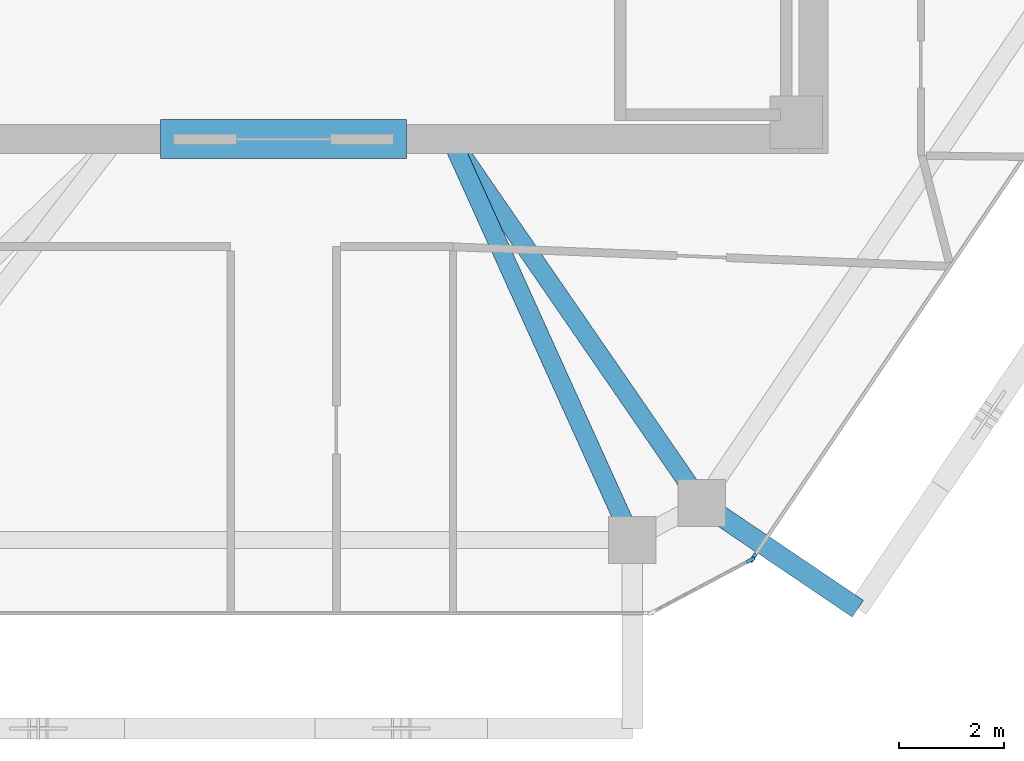
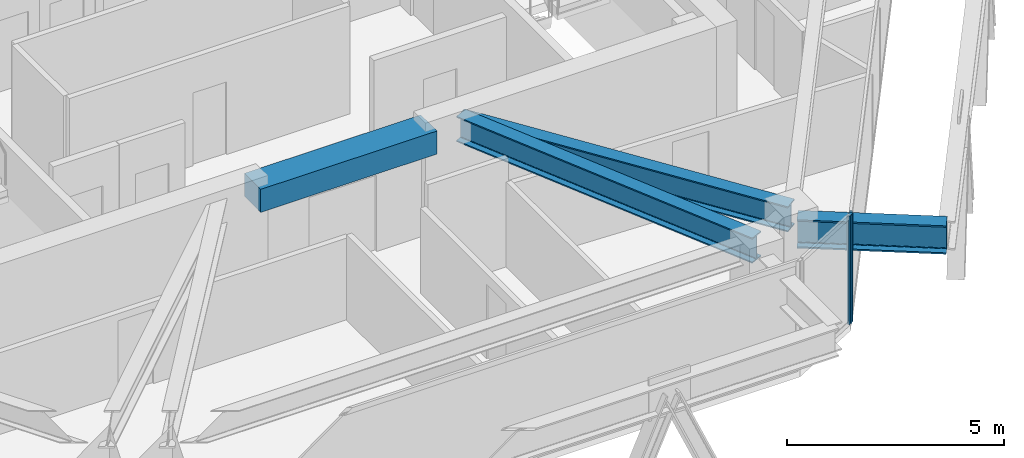
# One storey, part 3 of 12: 4 beams, 2 members, 2 elements without a shape of their own.
"""IFC4 building model written with IfcOpenShell, lengths in metres."""

from ifc_helpers import new_model, si_unit, direction, frame, origin, origin_2d, place, context, subcontext, project, spatial, rectangle, i_section, extrude, source, transform, mapped, material, layer, layer_set, material_profile, profile_set, type_object, type_shapes, element, aggregate, save


model = new_model("IFC4")

# Units and contexts
model_context = context("Model", 3, precision=1e-05, world=origin(), true_north=direction((0.0, 1.0)))
body_context = subcontext(model_context, "Body", "Model", "MODEL_VIEW")
ifc_project = project(units=[si_unit("LENGTHUNIT", "METRE"), si_unit("AREAUNIT", "SQUARE_METRE"), si_unit("VOLUMEUNIT", "CUBIC_METRE"), si_unit("PLANEANGLEUNIT", "RADIAN"), si_unit("MASSUNIT", "GRAM", prefix="KILO")], contexts=[model_context])

# Site, building, storey
site_placement = place(None, origin())
site = spatial("IfcSite", under=ifc_project, at=site_placement, CompositionType="ELEMENT")
building_placement = place(site_placement, origin())
building = spatial("IfcBuilding", under=site, at=building_placement, Name="Durnholm Broadcast Tower", CompositionType="ELEMENT")
storey_placement = place(building_placement, frame((0.0, 0.0, 221.60009765625)))
storey = spatial("IfcBuildingStorey", under=building, at=storey_placement, Name="L61", CompositionType="ELEMENT", Elevation=221.60009765625)

# Beams
ifc_material_1 = material(Name="Concrete C70/85", Category="concrete")
ifc_material_profile_1 = material_profile(ifc_material_1, rectangle(XDim=0.75, YDim=0.64990234375, at=origin_2d()), Name="RC750X650")
ifc_profile_set_1 = profile_set([ifc_material_profile_1], Name="Concrete C70/85")
beam_type_1 = type_object("IfcBeamType", Name="BM-CB-RC650", PredefinedType="LINTEL", material=ifc_profile_set_1)
shared_shape_1 = source(origin(), body_context, "Body", "SweptSolid", [
    extrude(rectangle(XDim=0.75, YDim=0.64990234375, at=origin_2d()), origin(), (0.0, 0.0, 1.0), 4.7001953125),
])
type_shapes(beam_type_1, [shared_shape_1])
beam_1_placement = place(storey_placement, frame((-2.35009765625, -8.125, 2.72998046875), z_axis=(1.0, 0.0, 0.0), x_axis=(0.0, 1.0, 0.0)))
element("IfcBeam", 1, at=beam_1_placement, inside=storey, type_object=beam_type_1, Name="L61 south core coupling lintel beam CB-S", PredefinedType="LINTEL", context=body_context, shape_type="MappedRepresentation", body=[
    mapped(shared_shape_1, transform((0.0, 0.0, 0.0), x_axis=(1.0, 0.0, 0.0), y_axis=(0.0, 1.0, 0.0), z_axis=(0.0, 0.0, 1.0), scale=1.0)),
])
ifc_material_2 = material(Name="Steel ASTM A992 Grade 50", Category="steel")
ifc_material_profile_2 = material_profile(ifc_material_2, i_section(OverallWidth=0.385009765625, OverallDepth=0.802978515625, WebThickness=0.023681640625, FlangeThickness=0.0419921875, FilletRadius=0.032958984375, at=origin_2d()), Name="W30X261")
ifc_profile_set_2 = profile_set([ifc_material_profile_2], Name="Steel ASTM A992 Grade 50")
beam_type_2 = type_object("IfcBeamType", Name="BM-EXO-TIE", PredefinedType="USERDEFINED", material=ifc_profile_set_2)
shared_shape_2 = source(origin(), body_context, "Body", "SweptSolid", [
    extrude(i_section(OverallWidth=0.385009765625, OverallDepth=0.802978515625, WebThickness=0.023681640625, FlangeThickness=0.0419921875, FilletRadius=0.032958984375, at=origin_2d()), origin(), (0.0, 0.0, 1.0), 3.4560546875),
])
type_shapes(beam_type_2, [shared_shape_2])
beam_2_placement = place(storey_placement, frame((8.110107421875, -15.161865234375, 2.308349609375), z_axis=(0.828468499792, -0.560035663911, 0.0), x_axis=(0.560035663911, 0.828468499792, 0.0)))
element("IfcBeam", 2, at=beam_2_placement, inside=storey, type_object=beam_type_2, Name="L61 exoskeleton stand-off tie bracket F2.1", ObjectType="GIRDER", PredefinedType="USERDEFINED", context=body_context, shape_type="MappedRepresentation", body=[
    mapped(shared_shape_2, transform((0.0, 0.0, 0.0), x_axis=(1.0, 0.0, 0.0), y_axis=(0.0, 1.0, 0.0), z_axis=(0.0, 0.0, 1.0), scale=1.0)),
])
ifc_material_profile_3 = material_profile(ifc_material_2, i_section(OverallWidth=0.3564453125, OverallDepth=0.713623046875, WebThickness=0.01904296875, FlangeThickness=0.033935546875, FilletRadius=0.030517578125, at=origin_2d()), Name="W27X194")
ifc_profile_set_3 = profile_set([ifc_material_profile_3], Name="Steel ASTM A992 Grade 50")
beam_type_3 = type_object("IfcBeamType", Name="STL-GR-W27X194", PredefinedType="USERDEFINED", material=ifc_profile_set_3)
shared_shape_3 = source(origin(), body_context, "Body", "SweptSolid", [
    extrude(i_section(OverallWidth=0.3564453125, OverallDepth=0.713623046875, WebThickness=0.01904296875, FlangeThickness=0.033935546875, FilletRadius=0.030517578125, at=origin_2d()), origin(), (0.0, 0.0, 1.0), 8.446533203125),
])
beam_3_placement = place(storey_placement, frame((3.199951171875, -8.125, 2.68798828125), z_axis=(0.567216806915, -0.823568511997, 0.0), x_axis=(0.823568511997, 0.567216806915, 0.0)))
element("IfcBeam", 3, at=beam_3_placement, inside=storey, type_object=beam_type_3, Name="L61 radial primary floor girder 10", ObjectType="GIRDER", PredefinedType="USERDEFINED", context=body_context, shape_type="MappedRepresentation", body=[
    mapped(shared_shape_3, transform((0.0, 0.0, 0.0), x_axis=(1.0, 0.0, 0.0), y_axis=(0.0, 1.0, 0.0), z_axis=(0.0, 0.0, 1.0), scale=1.0)),
])
shared_shape_4 = source(origin(), body_context, "Body", "SweptSolid", [
    extrude(i_section(OverallWidth=0.3564453125, OverallDepth=0.713623046875, WebThickness=0.01904296875, FlangeThickness=0.033935546875, FilletRadius=0.030517578125, at=origin_2d()), origin(), (0.0, 0.0, 1.0), 8.407470703125),
])
type_shapes(beam_type_3, [shared_shape_3, shared_shape_4])
beam_4_placement = place(storey_placement, frame((3.199951171875, -8.125, 2.68798828125), z_axis=(0.411992813642, -0.911187094678, 0.0), x_axis=(0.911187094678, 0.411992813642, 0.0)))
element("IfcBeam", 4, at=beam_4_placement, inside=storey, type_object=beam_type_3, Name="L61 radial primary floor girder 11", ObjectType="GIRDER", PredefinedType="USERDEFINED", context=body_context, shape_type="MappedRepresentation", body=[
    mapped(shared_shape_4, transform((0.0, 0.0, 0.0), x_axis=(1.0, 0.0, 0.0), y_axis=(0.0, 1.0, 0.0), z_axis=(0.0, 0.0, 1.0), scale=1.0)),
])

# Curtain wall, member
ifc_material_3 = material(Name="Aluminium and Solar Control IGU", Category="aluminium")
ifc_layer_1 = layer(ifc_material_3, 0.1650390625)
ifc_layer_set_1 = layer_set([ifc_layer_1], Name="Aluminium and Solar Control IGU")
curtain_wall_type_1 = type_object("IfcCurtainWallType", Name="CW-SYS-5", PredefinedType="NOTDEFINED", material=ifc_layer_set_1)
curtain_wall_1_placement = place(storey_placement, origin())
curtain_wall_1 = element("IfcCurtainWall", 5, at=curtain_wall_1_placement, inside=storey, type_object=curtain_wall_type_1, Name="L61 curtain wall CW-CORNER CW-L61-CRN-09", PredefinedType="NOTDEFINED")
ifc_material_4 = material(Name="Aluminium 6063-T6", Category="aluminium")
ifc_material_profile_4 = material_profile(ifc_material_4, rectangle(XDim=0.06494140625, YDim=0.1650390625, at=origin_2d()), Name="CWM65X165")
ifc_profile_set_4 = profile_set([ifc_material_profile_4], Name="Aluminium 6063-T6")
member_type_1 = type_object("IfcMemberType", Name="CW-SYS-5-MUL", PredefinedType="MULLION", material=ifc_profile_set_4)
shared_shape_5 = source(origin(), body_context, "Body", "SweptSolid", [
    extrude(rectangle(XDim=0.06494140625, YDim=0.1650390625, at=origin_2d()), origin(), (0.0, 0.0, 1.0), 3.059814453125),
])
type_shapes(member_type_1, [shared_shape_5])
member_1_placement = place(storey_placement, frame((8.9267578125, -16.16943359375, 0.0), z_axis=(0.0, 0.0, 1.0), x_axis=(0.469006771575, -0.883194569853, 0.0)))
member_1 = element("IfcMember", 6, at=member_1_placement, type_object=member_type_1, Name="CW-CORNER mullion 1", PredefinedType="MULLION", context=body_context, shape_type="MappedRepresentation", body=[
    mapped(shared_shape_5, transform((0.0, 0.0, 0.0), x_axis=(1.0, 0.0, 0.0), y_axis=(0.0, 1.0, 0.0), z_axis=(0.0, 0.0, 1.0), scale=1.0)),
])
aggregate(curtain_wall_1, [member_1])

ifc_layer_2 = layer(ifc_material_3, 0.18994140625)
ifc_layer_set_2 = layer_set([ifc_layer_2], Name="Aluminium and Solar Control IGU")
curtain_wall_type_2 = type_object("IfcCurtainWallType", Name="CW-SYS-4", PredefinedType="NOTDEFINED", material=ifc_layer_set_2)
curtain_wall_2_placement = place(storey_placement, origin())
curtain_wall_2 = element("IfcCurtainWall", 7, at=curtain_wall_2_placement, inside=storey, type_object=curtain_wall_type_2, Name="L61 curtain wall CW-Z34-VIS CW-L61-F08", PredefinedType="NOTDEFINED")
ifc_material_profile_5 = material_profile(ifc_material_4, rectangle(XDim=0.070068359375, YDim=0.18994140625, at=origin_2d()), Name="CWM70X190")
ifc_profile_set_5 = profile_set([ifc_material_profile_5], Name="Aluminium 6063-T6")
member_type_2 = type_object("IfcMemberType", Name="CW-SYS-4-MUL", PredefinedType="MULLION", material=ifc_profile_set_5)
shared_shape_6 = source(origin(), body_context, "Body", "SweptSolid", [
    extrude(rectangle(XDim=0.070068359375, YDim=0.18994140625, at=origin_2d()), origin(), (0.0, 0.0, 1.0), 3.059814453125),
])
type_shapes(member_type_2, [shared_shape_6])
member_2_placement = place(storey_placement, frame((8.97509765625, -16.125244140625, 0.0), z_axis=(0.0, 0.0, 1.0), x_axis=(0.828443431662, -0.560072745753, 0.0)))
member_2 = element("IfcMember", 8, at=member_2_placement, type_object=member_type_2, Name="CW-Z34-VIS mullion 2", PredefinedType="MULLION", context=body_context, shape_type="MappedRepresentation", body=[
    mapped(shared_shape_6, transform((0.0, 0.0, 0.0), x_axis=(1.0, 0.0, 0.0), y_axis=(0.0, 1.0, 0.0), z_axis=(0.0, 0.0, 1.0), scale=1.0)),
])
aggregate(curtain_wall_2, [member_2])

save(model, "model.ifc")
